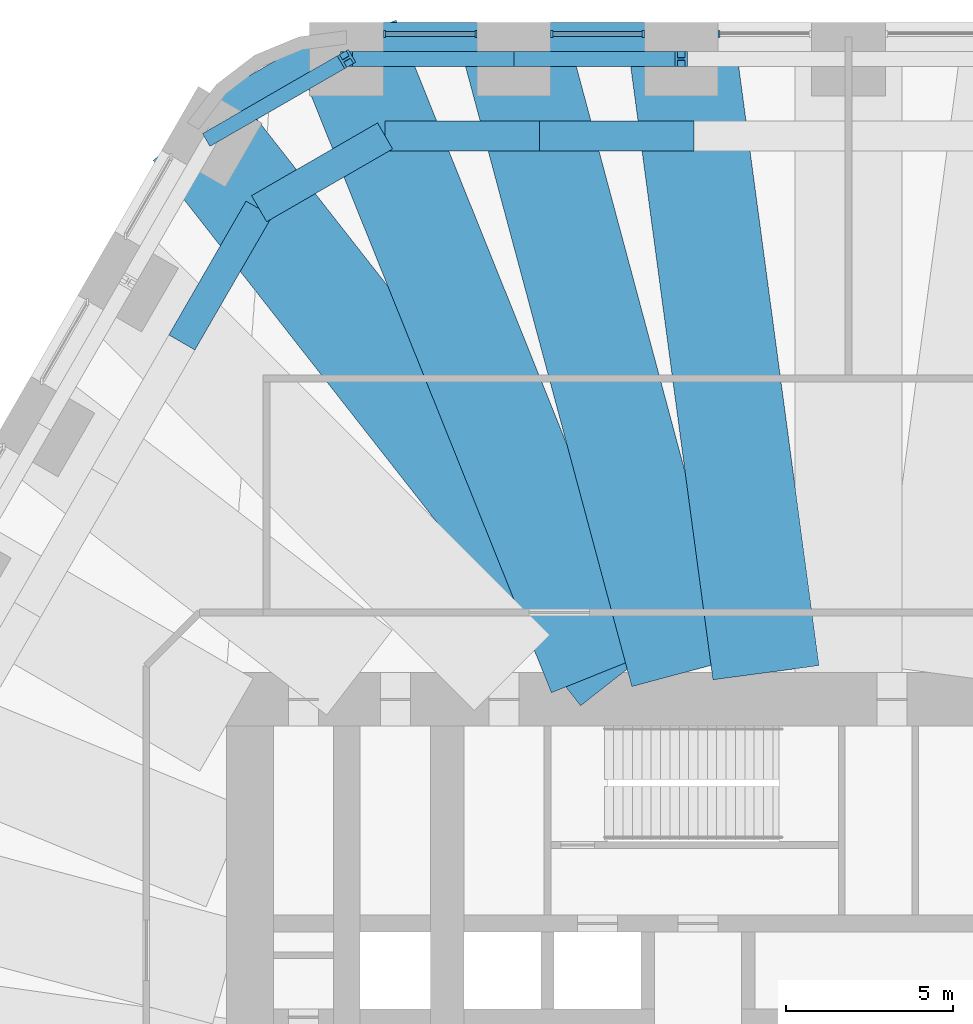
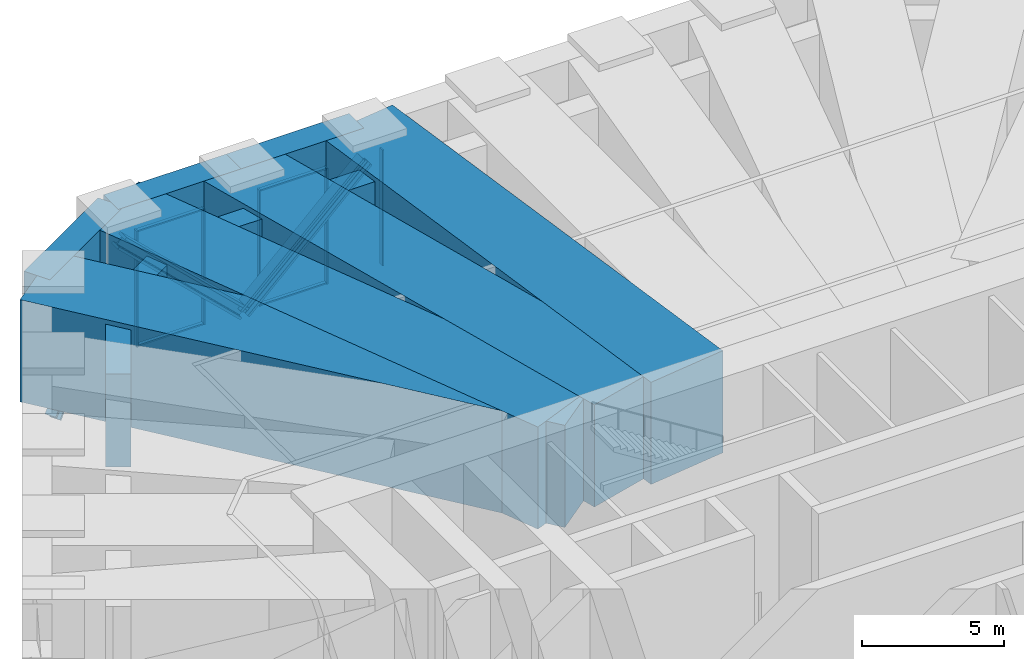
# One storey, part 7 of 16: 12 members, 11 beams, 3 elements without a shape of their own.
"""IFC4 building model written with IfcOpenShell, lengths in metres."""

from ifc_helpers import new_model, si_unit, direction, frame, origin, origin_2d, place, context, subcontext, project, spatial, rectangle, i_section, extrude, material, material_profile, profile_set, type_object, element, aggregate, save


model = new_model("IFC4")

# Units and contexts
model_context = context("Model", 3, precision=1e-05, world=origin(), true_north=direction((0.0, 1.0)))
body_context = subcontext(model_context, "Body", "Model", "MODEL_VIEW")
ifc_project = project(units=[si_unit("LENGTHUNIT", "METRE"), si_unit("AREAUNIT", "SQUARE_METRE"), si_unit("VOLUMEUNIT", "CUBIC_METRE"), si_unit("PLANEANGLEUNIT", "RADIAN"), si_unit("MASSUNIT", "GRAM", prefix="KILO")], contexts=[model_context])

# Site, building, storey
site_placement = place(None, origin())
site = spatial("IfcSite", under=ifc_project, at=site_placement, CompositionType="ELEMENT")
building_placement = place(site_placement, origin())
building = spatial("IfcBuilding", under=site, at=building_placement, Name="Tarfa Lantern Tower", CompositionType="ELEMENT")
storey_placement = place(building_placement, frame((0.0, 0.0, 203.5)))
storey = spatial("IfcBuildingStorey", under=building, at=storey_placement, Name="L46", CompositionType="ELEMENT", Elevation=203.5)

# Members
ifc_material_1 = material(Name="Steel S460M", Category="steel")
ifc_material_profile_1 = material_profile(ifc_material_1, i_section(OverallWidth=0.44189453125, OverallDepth=0.531005859375, WebThickness=0.06591796875, FlangeThickness=0.10595703125, FilletRadius=0.02001953125, at=origin_2d()), Name="HD400x900")
ifc_profile_set_1 = profile_set([ifc_material_profile_1], Name="Steel S460M")
member_type_1 = type_object("IfcMemberType", Name="BT2 HD400x900", PredefinedType="BRACE", material=ifc_profile_set_1)
for number, where, z_axis, x_axis, name in (
    (1, (-10.00732421875, 30.64990234375, 0.60009765625), (0.721654649974, 0.0, 0.692253252915), (0.0, 1.0, 0.0), "Belt truss diagonal 12"),
    (2, (-10.00732421875, 30.64990234375, 0.60009765625), (-0.721654649974, 0.0, 0.692253252915), (0.0, -1.0, 0.0), "Belt truss diagonal 13"),
):
    element("IfcMember", number, at=place(storey_placement, frame(where, z_axis=z_axis, x_axis=x_axis)), inside=storey, type_object=member_type_1, Name=name, PredefinedType="BRACE", context=body_context, shape_type="SweptSolid", body=[
        extrude(i_section(OverallWidth=0.44189453125, OverallDepth=0.531005859375, WebThickness=0.06591796875, FlangeThickness=0.10595703125, FilletRadius=0.02001953125, at=origin_2d()), origin(), (0.0, 0.0, 1.0), 6.93359375),
    ])
member_1_placement = place(storey_placement, frame((-19.0380859375, 28.324951171875, 0.60009765625), z_axis=(0.602598278407, 0.34789593242, 0.718222622218), x_axis=(-0.499984536904, 0.866034331223, 0.0)))
element("IfcMember", 3, at=member_1_placement, inside=storey, type_object=member_type_1, Name="Belt truss diagonal 14", PredefinedType="BRACE", context=body_context, shape_type="SweptSolid", body=[
    extrude(i_section(OverallWidth=0.44189453125, OverallDepth=0.531005859375, WebThickness=0.06591796875, FlangeThickness=0.10595703125, FilletRadius=0.02001953125, at=origin_2d()), origin(), (0.0, 0.0, 1.0), 6.682861328125),
])

# Curtain wall, member
ifc_material_2 = material(Name="Aluminium framed curtain wall", Category="aluminium")
curtain_wall_type = type_object("IfcCurtainWallType", Name="CW6 LOUVRED SCREEN WALL 5000", PredefinedType="USERDEFINED", material=ifc_material_2)
curtain_wall_1_placement = place(storey_placement, origin())
curtain_wall_1 = element("IfcCurtainWall", 4, at=curtain_wall_1_placement, inside=storey, type_object=curtain_wall_type, Name="CW6 N L46", ObjectType="CURTAIN WALL", PredefinedType="USERDEFINED")
ifc_material_3 = material(Name="Aluminium mullion", Category="aluminium")
ifc_material_profile_2 = material_profile(ifc_material_3, rectangle(XDim=0.06494140625, YDim=0.199951171875, at=origin_2d()), Name="AL MULLION 65x200")
ifc_profile_set_2 = profile_set([ifc_material_profile_2], Name="Aluminium mullion")
member_type_2 = type_object("IfcMemberType", Name="CWM1 MULLION 65x200", PredefinedType="MULLION", material=ifc_profile_set_2)
member_2_placement = place(storey_placement, frame((-3.87109375, 31.39990234375, 0.0), z_axis=(0.0, 0.0, 1.0), x_axis=(1.0, 0.0, 0.0)))
member_2 = element("IfcMember", 5, at=member_2_placement, type_object=member_type_2, Name="CW6 mullion 2", PredefinedType="MULLION", context=body_context, shape_type="SweptSolid", body=[
    extrude(rectangle(XDim=0.06494140625, YDim=0.199951171875, at=origin_2d()), origin(), (0.0, 0.0, 1.0), 5.0),
])
aggregate(curtain_wall_1, [member_2])

# Curtain wall, members
curtain_wall_2_placement = place(storey_placement, origin())
curtain_wall_2 = element("IfcCurtainWall", 6, at=curtain_wall_2_placement, inside=storey, type_object=curtain_wall_type, Name="CW6 N L46", ObjectType="CURTAIN WALL", PredefinedType="USERDEFINED")
member_3_placement = place(storey_placement, frame((-6.13623046875, 31.39990234375, 0.0), z_axis=(0.0, 0.0, 1.0), x_axis=(1.0, 0.0, 0.0)))
member_3 = element("IfcMember", 7, at=member_3_placement, type_object=member_type_2, Name="CW6 mullion 1", PredefinedType="MULLION", context=body_context, shape_type="SweptSolid", body=[
    extrude(rectangle(XDim=0.06494140625, YDim=0.199951171875, at=origin_2d()), origin(), (0.0, 0.0, 1.0), 5.0),
])
member_4_placement = place(storey_placement, frame((-8.875, 31.39990234375, 0.0), z_axis=(0.0, 0.0, 1.0), x_axis=(1.0, 0.0, 0.0)))
member_4 = element("IfcMember", 8, at=member_4_placement, type_object=member_type_2, Name="CW6 mullion 2", PredefinedType="MULLION", context=body_context, shape_type="SweptSolid", body=[
    extrude(rectangle(XDim=0.06494140625, YDim=0.199951171875, at=origin_2d()), origin(), (0.0, 0.0, 1.0), 5.0),
])

curtain_wall_3_placement = place(storey_placement, origin())
curtain_wall_3 = element("IfcCurtainWall", 9, at=curtain_wall_3_placement, inside=storey, type_object=curtain_wall_type, Name="CW6 N L46", ObjectType="CURTAIN WALL", PredefinedType="USERDEFINED")
member_5_placement = place(storey_placement, frame((-11.139892578125, 31.39990234375, 0.0), z_axis=(0.0, 0.0, 1.0), x_axis=(1.0, 0.0, 0.0)))
member_5 = element("IfcMember", 10, at=member_5_placement, type_object=member_type_2, Name="CW6 mullion 1", PredefinedType="MULLION", context=body_context, shape_type="SweptSolid", body=[
    extrude(rectangle(XDim=0.06494140625, YDim=0.199951171875, at=origin_2d()), origin(), (0.0, 0.0, 1.0), 5.0),
])
member_6_placement = place(storey_placement, frame((-13.878662109375, 31.39990234375, 0.0), z_axis=(0.0, 0.0, 1.0), x_axis=(1.0, 0.0, 0.0)))
member_6 = element("IfcMember", 11, at=member_6_placement, type_object=member_type_2, Name="CW6 mullion 2", PredefinedType="MULLION", context=body_context, shape_type="SweptSolid", body=[
    extrude(rectangle(XDim=0.06494140625, YDim=0.199951171875, at=origin_2d()), origin(), (0.0, 0.0, 1.0), 5.0),
])

# Member
ifc_material_4 = material(Name="Aluminium transom", Category="aluminium")
ifc_material_profile_3 = material_profile(ifc_material_4, rectangle(XDim=0.14990234375, YDim=0.06494140625, at=origin_2d()), Name="AL TRANSOM 150x65")
ifc_profile_set_3 = profile_set([ifc_material_profile_3], Name="Aluminium transom")
member_type_3 = type_object("IfcMemberType", Name="CWT1 TRANSOM 150x65", PredefinedType="USERDEFINED", material=ifc_profile_set_3)
member_7_placement = place(storey_placement, frame((-6.168701171875, 31.39990234375, 0.032470703125), z_axis=(-1.0, 0.0, 0.0), x_axis=(0.0, -1.0, 0.0)))
member_7 = element("IfcMember", 12, at=member_7_placement, type_object=member_type_3, Name="CW6 transom 1.1", ObjectType="TRANSOM", PredefinedType="USERDEFINED", context=body_context, shape_type="SweptSolid", body=[
    extrude(rectangle(XDim=0.14990234375, YDim=0.06494140625, at=origin_2d()), origin(), (0.0, 0.0, 1.0), 2.673583984375),
])

member_8_placement = place(storey_placement, frame((-6.168701171875, 31.39990234375, 4.967529296875), z_axis=(-1.0, 0.0, 0.0), x_axis=(0.0, -1.0, 0.0)))
member_8 = element("IfcMember", 13, at=member_8_placement, type_object=member_type_3, Name="CW6 transom 1.2", ObjectType="TRANSOM", PredefinedType="USERDEFINED", context=body_context, shape_type="SweptSolid", body=[
    extrude(rectangle(XDim=0.14990234375, YDim=0.06494140625, at=origin_2d()), origin(), (0.0, 0.0, 1.0), 2.673583984375),
])

aggregate(curtain_wall_2, [member_3, member_4, member_7, member_8])

member_9_placement = place(storey_placement, frame((-11.17236328125, 31.39990234375, 0.032470703125), z_axis=(-1.0, 0.0, 0.0), x_axis=(0.0, -1.0, 0.0)))
member_9 = element("IfcMember", 14, at=member_9_placement, type_object=member_type_3, Name="CW6 transom 1.1", ObjectType="TRANSOM", PredefinedType="USERDEFINED", context=body_context, shape_type="SweptSolid", body=[
    extrude(rectangle(XDim=0.14990234375, YDim=0.06494140625, at=origin_2d()), origin(), (0.0, 0.0, 1.0), 2.673828125),
])

member_10_placement = place(storey_placement, frame((-11.17236328125, 31.39990234375, 4.967529296875), z_axis=(-1.0, 0.0, 0.0), x_axis=(0.0, -1.0, 0.0)))
member_10 = element("IfcMember", 15, at=member_10_placement, type_object=member_type_3, Name="CW6 transom 1.2", ObjectType="TRANSOM", PredefinedType="USERDEFINED", context=body_context, shape_type="SweptSolid", body=[
    extrude(rectangle(XDim=0.14990234375, YDim=0.06494140625, at=origin_2d()), origin(), (0.0, 0.0, 1.0), 2.673828125),
])

aggregate(curtain_wall_3, [member_5, member_6, member_9, member_10])

# Beams
ifc_material_5 = material(Name="Concrete C80/95", Category="concrete")
ifc_material_profile_4 = material_profile(ifc_material_5, rectangle(XDim=1.050048828125, YDim=1.699951171875, at=origin_2d()), Name="RC 1050x1700")
ifc_profile_set_4 = profile_set([ifc_material_profile_4], Name="Concrete C80/95")
beam_type_1 = type_object("IfcBeamType", Name="RB2 RC 1050x1700", PredefinedType="BEAM", material=ifc_profile_set_4)
for number, where, z_axis, x_axis, name in (
    (16, (-5.003662109375, 31.219970703125, 5.85009765625), (-1.0, 0.0, 0.0), (0.0, -1.0, 0.0), "Edge beam N4"),
    (17, (-10.00732421875, 31.219970703125, 5.85009765625), (-1.0, 0.0, 0.0), (0.0, -1.0, 0.0), "Edge beam N5"),
):
    element("IfcBeam", number, at=place(storey_placement, frame(where, z_axis=z_axis, x_axis=x_axis)), inside=storey, type_object=beam_type_1, Name=name, PredefinedType="BEAM", context=body_context, shape_type="SweptSolid", body=[
        extrude(rectangle(XDim=1.050048828125, YDim=1.699951171875, at=origin_2d()), origin(), (0.0, 0.0, 1.0), 5.003662109375),
    ])
beam_1_placement = place(storey_placement, frame((-15.010986328125, 31.219970703125, 5.85009765625), z_axis=(-0.86604150238, -0.499972115377, 0.0), x_axis=(0.499972115377, -0.86604150238, 0.0)))
element("IfcBeam", 18, at=beam_1_placement, inside=storey, type_object=beam_type_1, Name="Edge beam N6", PredefinedType="BEAM", context=body_context, shape_type="SweptSolid", body=[
    extrude(rectangle(XDim=1.050048828125, YDim=1.699951171875, at=origin_2d()), origin(), (0.0, 0.0, 1.0), 5.219970703125),
])
ifc_material_profile_5 = material_profile(ifc_material_5, rectangle(XDim=0.89990234375, YDim=4.0, at=origin_2d()), Name="RC 900x4000")
ifc_profile_set_5 = profile_set([ifc_material_profile_5], Name="Concrete C80/95")
beam_type_2 = type_object("IfcBeamType", Name="RG2 RC 900x4000", PredefinedType="BEAM", material=ifc_profile_set_5)
beam_2_placement = place(storey_placement, frame((-4.618896484375, 28.35009765625, 4.5), z_axis=(-1.0, 0.0, 0.0), x_axis=(0.0, -1.0, 0.0)))
element("IfcBeam", 19, at=beam_2_placement, inside=storey, type_object=beam_type_2, Name="Ring girder N4", PredefinedType="BEAM", context=body_context, shape_type="SweptSolid", body=[
    extrude(rectangle(XDim=0.89990234375, YDim=4.0, at=origin_2d()), origin(), (0.0, 0.0, 1.0), 4.61865234375),
])
beam_3_placement = place(storey_placement, frame((-9.237548828125, 28.35009765625, 4.5), z_axis=(-1.0, 0.0, 0.0), x_axis=(0.0, -1.0, 0.0)))
element("IfcBeam", 20, at=beam_3_placement, inside=storey, type_object=beam_type_2, Name="Ring girder N5", PredefinedType="BEAM", context=body_context, shape_type="SweptSolid", body=[
    extrude(rectangle(XDim=0.89990234375, YDim=4.0, at=origin_2d()), origin(), (0.0, 0.0, 1.0), 4.618896484375),
])
beam_4_placement = place(storey_placement, frame((-13.8564453125, 28.35009765625, 4.5), z_axis=(-0.866013608182, -0.500020430026, 0.0), x_axis=(0.500020430026, -0.866013608182, 0.0)))
element("IfcBeam", 21, at=beam_4_placement, inside=storey, type_object=beam_type_2, Name="Ring girder N6", PredefinedType="BEAM", context=body_context, shape_type="SweptSolid", body=[
    extrude(rectangle(XDim=0.89990234375, YDim=4.0, at=origin_2d()), origin(), (0.0, 0.0, 1.0), 4.349853515625),
])
beam_5_placement = place(storey_placement, frame((-17.62353515625, 26.175048828125, 4.5), z_axis=(-0.500027479704, -0.866009537788, 0.0), x_axis=(0.866009537788, -0.500027479704, 0.0)))
element("IfcBeam", 22, at=beam_5_placement, inside=storey, type_object=beam_type_2, Name="Ring girder NW0", PredefinedType="BEAM", context=body_context, shape_type="SweptSolid", body=[
    extrude(rectangle(XDim=0.89990234375, YDim=4.0, at=origin_2d()), origin(), (0.0, 0.0, 1.0), 4.618896484375),
])
ifc_material_profile_6 = material_profile(ifc_material_5, rectangle(XDim=3.199951171875, YDim=4.39990234375, at=origin_2d()), Name="RC 3200x4400")
ifc_profile_set_6 = profile_set([ifc_material_profile_6], Name="Concrete C80/95")
beam_type_3 = type_object("IfcBeamType", Name="TG2 RC 3200x4400", PredefinedType="BEAM", material=ifc_profile_set_6)
beam_6_placement = place(storey_placement, frame((-5.003662109375, 31.219970703125, 4.5), z_axis=(0.132920154613, -0.991126748957, 0.0), x_axis=(0.991126748957, 0.132920154613, 0.0)))
element("IfcBeam", 23, at=beam_6_placement, inside=storey, type_object=beam_type_3, Name="Transfer girder N4", PredefinedType="BEAM", context=body_context, shape_type="SweptSolid", body=[
    extrude(rectangle(XDim=3.199951171875, YDim=4.39990234375, at=origin_2d()), origin(), (0.0, 0.0, 1.0), 19.08935546875),
])
beam_7_placement = place(storey_placement, frame((-10.00732421875, 31.219970703125, 4.5), z_axis=(0.259063343821, -0.965860333531, 0.0), x_axis=(0.965860333531, 0.259063343821, 0.0)))
element("IfcBeam", 24, at=beam_7_placement, inside=storey, type_object=beam_type_3, Name="Transfer girder N5", PredefinedType="BEAM", context=body_context, shape_type="SweptSolid", body=[
    extrude(rectangle(XDim=3.199951171875, YDim=4.39990234375, at=origin_2d()), origin(), (0.0, 0.0, 1.0), 19.588623046875),
])
beam_8_placement = place(storey_placement, frame((-15.010986328125, 31.219970703125, 4.5), z_axis=(0.37325373852, -0.927729296013, 0.0), x_axis=(0.927729296013, 0.37325373852, 0.0)))
element("IfcBeam", 25, at=beam_8_placement, inside=storey, type_object=beam_type_3, Name="Transfer girder N6", PredefinedType="BEAM", context=body_context, shape_type="SweptSolid", body=[
    extrude(rectangle(XDim=3.199951171875, YDim=4.39990234375, at=origin_2d()), origin(), (0.0, 0.0, 1.0), 20.393798828125),
])
beam_9_placement = place(storey_placement, frame((-19.53173828125, 28.610107421875, 4.5), z_axis=(0.616805321838, -0.787115744317, 0.0), x_axis=(0.787115744317, 0.616805321838, 0.0)))
element("IfcBeam", 26, at=beam_9_placement, inside=storey, type_object=beam_type_3, Name="Transfer girder NW0", PredefinedType="BEAM", context=body_context, shape_type="SweptSolid", body=[
    extrude(rectangle(XDim=3.199951171875, YDim=4.39990234375, at=origin_2d()), origin(), (0.0, 0.0, 1.0), 20.72119140625),
])

save(model, "model.ifc")
